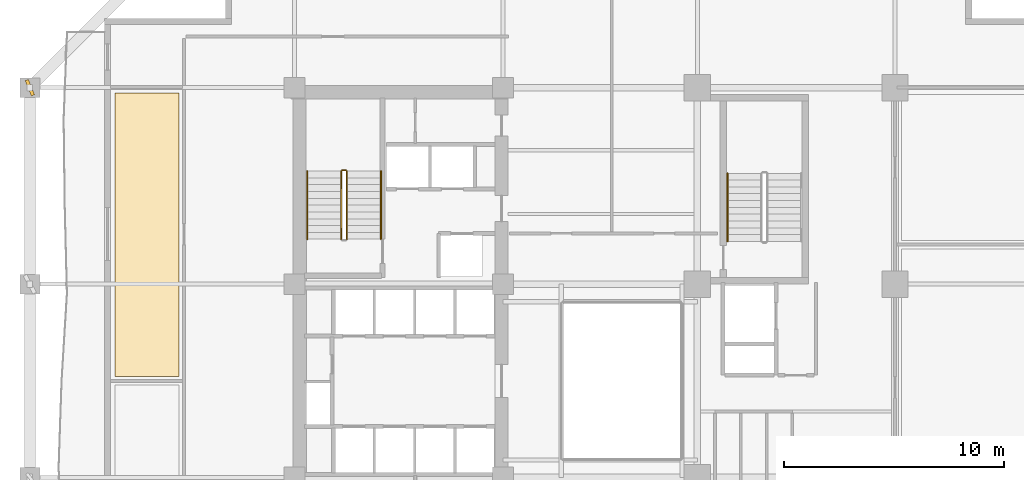
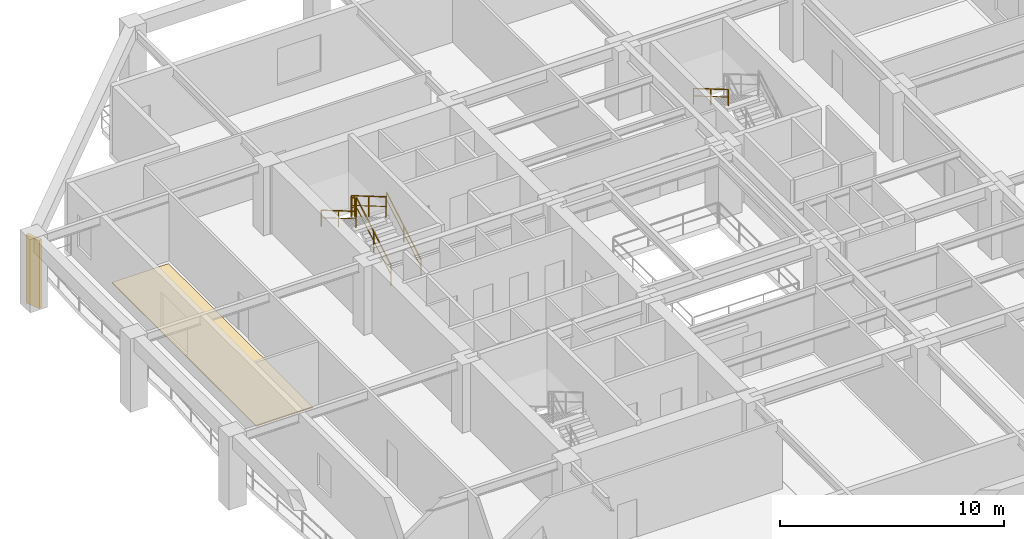
# One storey, part 10 of 12: 6 railings, 1 covering, 1 shading device.
"""IFC4 building model written with IfcOpenShell, lengths in metres."""

from ifc_helpers import new_model, si_unit, direction, frame, origin, origin_2d, place, context, subcontext, project, spatial, polyline, rectangle, outline, extrude, material, layer, layer_set, type_object, element, save


model = new_model("IFC4")

# Units and contexts
model_context = context("Model", 3, precision=1e-05, world=origin(), true_north=direction((0.0, 1.0)))
body_context = subcontext(model_context, "Body", "Model", "MODEL_VIEW")
ifc_project = project(units=[si_unit("LENGTHUNIT", "METRE"), si_unit("AREAUNIT", "SQUARE_METRE"), si_unit("VOLUMEUNIT", "CUBIC_METRE"), si_unit("PLANEANGLEUNIT", "RADIAN"), si_unit("MASSUNIT", "GRAM", prefix="KILO")], contexts=[model_context])

# Site, building, storey
site_placement = place(None, origin())
site = spatial("IfcSite", under=ifc_project, at=site_placement, CompositionType="ELEMENT")
building_placement = place(site_placement, origin())
building = spatial("IfcBuilding", under=site, at=building_placement, Name="Kundavana Baori Tower", CompositionType="ELEMENT")
storey_placement = place(building_placement, frame((0.0, 0.0, 38.0)))
storey = spatial("IfcBuildingStorey", under=building, at=storey_placement, Name="L08", CompositionType="ELEMENT", Elevation=38.0)

# Covering
ifc_material_1 = material(Name="Honed Kota Stone and Terrazzo Flooring", Category="masonry")
ifc_layer = layer(ifc_material_1, 0.0400390625, Name="COV-FLR-TERR-40")
ifc_layer_set = layer_set([ifc_layer], Name="Honed Kota Stone and Terrazzo Flooring")
covering_type = type_object("IfcCoveringType", Name="COV-FLR-TERR-40", PredefinedType="FLOORING", material=ifc_layer_set)
covering_placement = place(storey_placement, origin())
element("IfcCovering", 1, at=covering_placement, inside=storey, type_object=covering_type, Name="L08 Room Finished Stone Flooring 2", PredefinedType="FLOORING", context=body_context, shape_type="SweptSolid", body=[
    extrude(outline(polyline([(7.280029296875, 28.800048828125), (10.199951171875, 28.800048828125), (10.199951171875, 41.699951171875), (7.280029296875, 41.699951171875), (7.280029296875, 28.800048828125)])), origin(), (0.0, 0.0, 1.0), 0.0400390625),
])

# Railings
ifc_material_2 = material(Name="Architectural Patinated Bronze Metalwork")
railing_type_1 = type_object("IfcRailingType", Name="RL-GRD-1150", PredefinedType="GUARDRAIL", material=ifc_material_2)
railing_1_placement = place(storey_placement, frame((17.840087890625, 35.050048828125, 0.181884765625)))
element("IfcRailing", 2, at=railing_1_placement, inside=storey, type_object=railing_type_1, Name="L08 ST2 stair guard 1", PredefinedType="GUARDRAIL", context=body_context, shape_type="SweptSolid", body=[
    extrude(rectangle(XDim=0.048095703125, YDim=0.048095703125, at=origin_2d()), frame((0.0, 0.0, 1.1259765625), z_axis=(0.0, 0.86258143422, 0.50591824373), x_axis=(-1.0, 0.0, 0.0)), (0.0, 0.0, 1.0), 3.59375),
    extrude(rectangle(XDim=0.03125, YDim=0.03125, at=origin_2d()), frame((0.0, 0.0, 0.597900390625), z_axis=(0.0, 0.86258143422, 0.50591824373), x_axis=(-1.0, 0.0, 0.0)), (0.0, 0.0, 1.0), 3.59375),
    extrude(rectangle(XDim=0.0419921875, YDim=0.0419921875, at=origin_2d()), origin(), (0.0, 0.0, 1.0), 1.101806640625),
    extrude(rectangle(XDim=0.0419921875, YDim=0.0419921875, at=origin_2d()), frame((0.0, 1.5498046875, 0.9091796875)), (0.0, 0.0, 1.0), 1.101806640625),
    extrude(rectangle(XDim=0.0419921875, YDim=0.0419921875, at=origin_2d()), frame((0.0, 3.099853515625, 1.818115234375)), (0.0, 0.0, 1.0), 1.101806640625),
])
railing_2_placement = place(storey_placement, frame((17.7900390625, 38.199951171875, 2.0)))
element("IfcRailing", 3, at=railing_2_placement, inside=storey, type_object=railing_type_1, Name="L08 ST2 stair guard 2", PredefinedType="GUARDRAIL", context=body_context, shape_type="SweptSolid", body=[
    extrude(rectangle(XDim=0.048095703125, YDim=0.048095703125, at=origin_2d()), frame((0.0, 0.0, 1.1259765625), z_axis=(-1.0, 0.0, 0.0), x_axis=(0.0, -1.0, 0.0)), (0.0, 0.0, 1.0), 0.16015625),
    extrude(rectangle(XDim=0.03125, YDim=0.03125, at=origin_2d()), frame((0.0, 0.0, 0.597900390625), z_axis=(-1.0, 0.0, 0.0), x_axis=(0.0, -1.0, 0.0)), (0.0, 0.0, 1.0), 0.16015625),
    extrude(rectangle(XDim=0.0419921875, YDim=0.0419921875, at=origin_2d()), origin(), (0.0, 0.0, 1.0), 1.101806640625),
    extrude(rectangle(XDim=0.0419921875, YDim=0.0419921875, at=origin_2d()), frame((-0.16015625, 0.0, 0.0)), (0.0, 0.0, 1.0), 1.101806640625),
])
railing_3_placement = place(storey_placement, frame((17.580078125, 38.14990234375, 2.181884765625)))
element("IfcRailing", 4, at=railing_3_placement, inside=storey, type_object=railing_type_1, Name="L08 ST2 stair guard 3", PredefinedType="GUARDRAIL", context=body_context, shape_type="SweptSolid", body=[
    extrude(rectangle(XDim=0.048095703125, YDim=0.048095703125, at=origin_2d()), frame((0.0, 0.0, 1.1259765625), z_axis=(0.0, -0.86258143422, 0.50591824373), x_axis=(1.0, 0.0, 0.0)), (0.0, 0.0, 1.0), 3.59375),
    extrude(rectangle(XDim=0.03125, YDim=0.03125, at=origin_2d()), frame((0.0, 0.0, 0.597900390625), z_axis=(0.0, -0.86258143422, 0.50591824373), x_axis=(1.0, 0.0, 0.0)), (0.0, 0.0, 1.0), 3.59375),
    extrude(rectangle(XDim=0.0419921875, YDim=0.0419921875, at=origin_2d()), origin(), (0.0, 0.0, 1.0), 1.101806640625),
    extrude(rectangle(XDim=0.0419921875, YDim=0.0419921875, at=origin_2d()), frame((0.0, -1.5498046875, 0.9091796875)), (0.0, 0.0, 1.0), 1.101806640625),
    extrude(rectangle(XDim=0.0419921875, YDim=0.0419921875, at=origin_2d()), frame((0.0, -3.099853515625, 1.818115234375)), (0.0, 0.0, 1.0), 1.101806640625),
])
ifc_material_3 = material(Name="Architectural Patinated Bronze Metalwork")
railing_type_2 = type_object("IfcRailingType", Name="RL-HND-920", PredefinedType="HANDRAIL", material=ifc_material_3)
railing_4_placement = place(storey_placement, frame((19.389892578125, 35.050048828125, 0.181884765625)))
element("IfcRailing", 5, at=railing_4_placement, inside=storey, type_object=railing_type_2, Name="L08 ST2 stair handrail 1", PredefinedType="HANDRAIL", context=body_context, shape_type="SweptSolid", body=[
    extrude(rectangle(XDim=0.048095703125, YDim=0.048095703125, at=origin_2d()), frame((0.0, 0.0, 0.8759765625), z_axis=(0.0, 0.86258143422, 0.50591824373), x_axis=(-1.0, 0.0, 0.0)), (0.0, 0.0, 1.0), 3.59375),
    extrude(rectangle(XDim=0.03125, YDim=0.03125, at=origin_2d()), frame((0.0, 0.0, 0.468017578125), z_axis=(0.0, 0.86258143422, 0.50591824373), x_axis=(-1.0, 0.0, 0.0)), (0.0, 0.0, 1.0), 3.59375),
    extrude(rectangle(XDim=0.0419921875, YDim=0.0419921875, at=origin_2d()), origin(), (0.0, 0.0, 1.0), 0.851806640625),
    extrude(rectangle(XDim=0.0419921875, YDim=0.0419921875, at=origin_2d()), frame((0.0, 1.5498046875, 0.9091796875)), (0.0, 0.0, 1.0), 0.851806640625),
    extrude(rectangle(XDim=0.0419921875, YDim=0.0419921875, at=origin_2d()), frame((0.0, 3.099853515625, 1.818115234375)), (0.0, 0.0, 1.0), 0.851806640625),
])
railing_5_placement = place(storey_placement, frame((16.030029296875, 38.14990234375, 2.181884765625)))
element("IfcRailing", 6, at=railing_5_placement, inside=storey, type_object=railing_type_2, Name="L08 ST2 stair handrail 2", PredefinedType="HANDRAIL", context=body_context, shape_type="SweptSolid", body=[
    extrude(rectangle(XDim=0.048095703125, YDim=0.048095703125, at=origin_2d()), frame((0.0, 0.0, 0.8759765625), z_axis=(0.0, -0.86258143422, 0.50591824373), x_axis=(1.0, 0.0, 0.0)), (0.0, 0.0, 1.0), 3.59375),
    extrude(rectangle(XDim=0.03125, YDim=0.03125, at=origin_2d()), frame((0.0, 0.0, 0.468017578125), z_axis=(0.0, -0.86258143422, 0.50591824373), x_axis=(1.0, 0.0, 0.0)), (0.0, 0.0, 1.0), 3.59375),
    extrude(rectangle(XDim=0.0419921875, YDim=0.0419921875, at=origin_2d()), origin(), (0.0, 0.0, 1.0), 0.851806640625),
    extrude(rectangle(XDim=0.0419921875, YDim=0.0419921875, at=origin_2d()), frame((0.0, -1.5498046875, 0.9091796875)), (0.0, 0.0, 1.0), 0.851806640625),
    extrude(rectangle(XDim=0.0419921875, YDim=0.0419921875, at=origin_2d()), frame((0.0, -3.099853515625, 1.818115234375)), (0.0, 0.0, 1.0), 0.851806640625),
])
railing_6_placement = place(storey_placement, frame((35.169921875, 38.050048828125, 2.181884765625)))
element("IfcRailing", 7, at=railing_6_placement, inside=storey, type_object=railing_type_2, Name="L08 ST3 stair handrail 2", PredefinedType="HANDRAIL", context=body_context, shape_type="SweptSolid", body=[
    extrude(rectangle(XDim=0.048095703125, YDim=0.048095703125, at=origin_2d()), frame((0.0, 0.0, 0.8759765625), z_axis=(0.0, -0.862598821094, 0.505888598258), x_axis=(1.0, 0.0, 0.0)), (0.0, 0.0, 1.0), 3.593994140625),
    extrude(rectangle(XDim=0.03125, YDim=0.03125, at=origin_2d()), frame((0.0, 0.0, 0.468017578125), z_axis=(0.0, -0.862598821094, 0.505888598258), x_axis=(1.0, 0.0, 0.0)), (0.0, 0.0, 1.0), 3.593994140625),
    extrude(rectangle(XDim=0.0419921875, YDim=0.0419921875, at=origin_2d()), origin(), (0.0, 0.0, 1.0), 0.851806640625),
    extrude(rectangle(XDim=0.0419921875, YDim=0.0419921875, at=origin_2d()), frame((0.0, -1.550048828125, 0.9091796875)), (0.0, 0.0, 1.0), 0.851806640625),
    extrude(rectangle(XDim=0.0419921875, YDim=0.0419921875, at=origin_2d()), frame((0.0, -3.10009765625, 1.818115234375)), (0.0, 0.0, 1.0), 0.851806640625),
])

# Shading device
ifc_material_4 = material(Name="Red-Buff Dholpur Sandstone Cladding on Concrete C40/50", Category="masonry")
shading_device_type = type_object("IfcShadingDeviceType", Name="SHD-FIN-750", PredefinedType="JALOUSIE", material=ifc_material_4)
shading_device_placement = place(storey_placement, frame((3.39990234375, 41.949951171875, 0.0), z_axis=(0.0, 0.0, 1.0), x_axis=(0.925936516366, 0.377679186163, 0.0)))
element("IfcShadingDevice", 8, at=shading_device_placement, inside=storey, type_object=shading_device_type, Name="L08 Sweeping Dholpur Sandstone Facade Fin 8", PredefinedType="JALOUSIE", context=body_context, shape_type="SweptSolid", body=[
    extrude(rectangle(XDim=0.159912109375, YDim=0.75, at=origin_2d()), origin(), (0.0, 0.0, 1.0), 3.719970703125),
])

save(model, "model.ifc")
